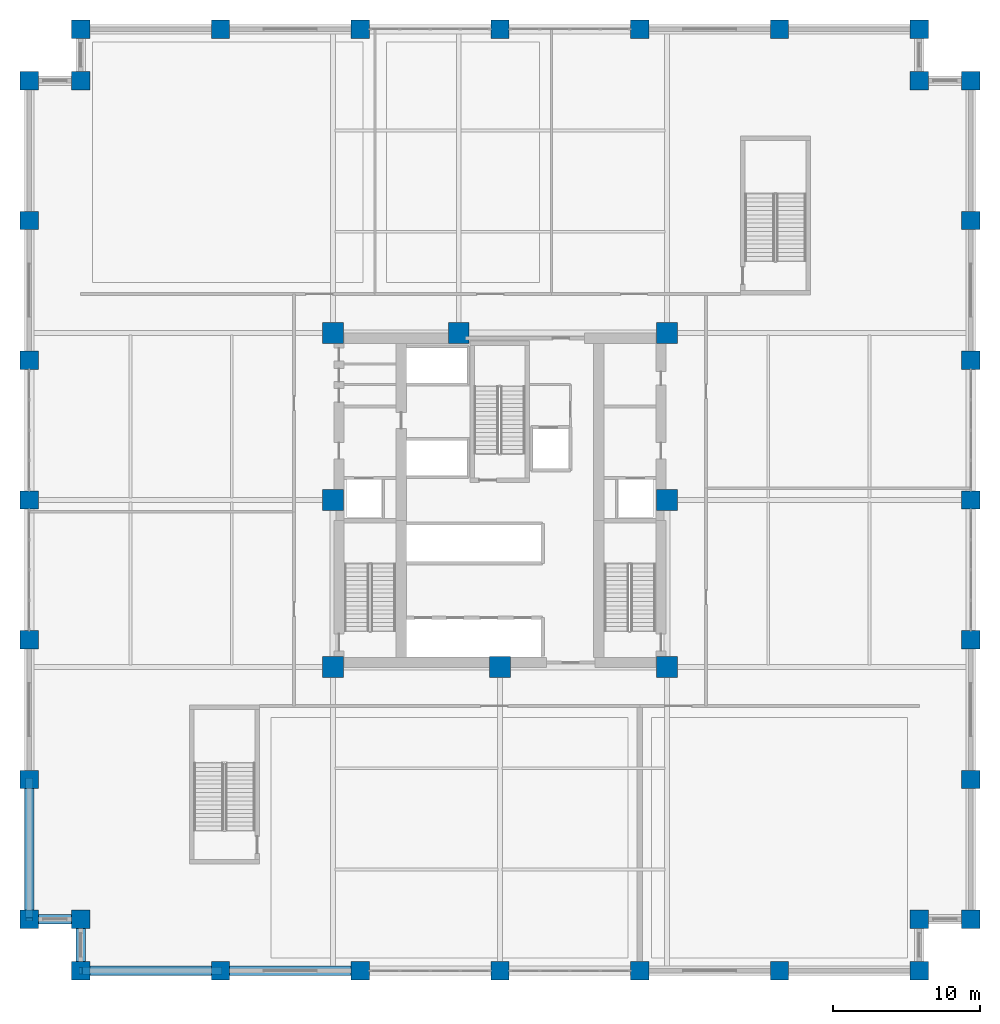
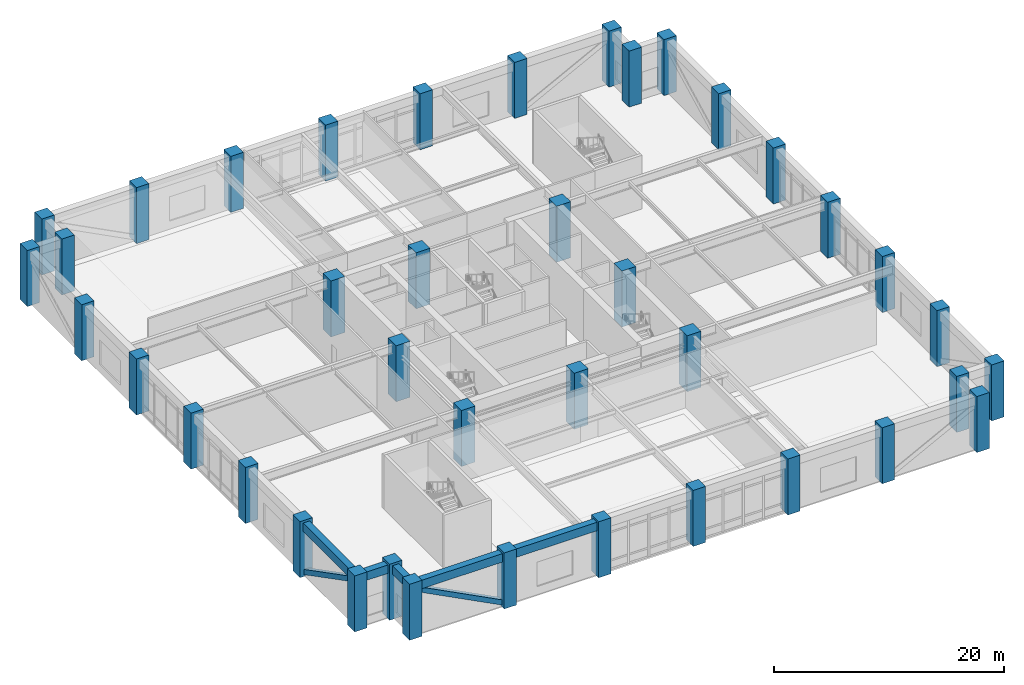
# One storey, part 1 of 21: 40 columns, 5 beams, 2 members.
"""IFC4 building model written with IfcOpenShell, lengths in metres."""

from ifc_helpers import new_model, si_unit, direction, frame, origin, origin_2d, place, context, subcontext, project, spatial, rectangle, hollow_rectangle, extrude, material, material_profile, profile_set, type_object, element, save


model = new_model("IFC4")

# Units and contexts
model_context = context("Model", 3, precision=1e-05, world=origin(), true_north=direction((0.0, 1.0)))
body_context = subcontext(model_context, "Body", "Model", "MODEL_VIEW")
ifc_project = project(units=[si_unit("LENGTHUNIT", "METRE"), si_unit("AREAUNIT", "SQUARE_METRE"), si_unit("VOLUMEUNIT", "CUBIC_METRE"), si_unit("PLANEANGLEUNIT", "RADIAN"), si_unit("MASSUNIT", "GRAM", prefix="KILO")], contexts=[model_context])

# Site, building, storey
site_placement = place(None, origin())
site = spatial("IfcSite", under=ifc_project, at=site_placement, CompositionType="ELEMENT")
building_placement = place(site_placement, origin())
building = spatial("IfcBuilding", under=site, at=building_placement, Name="Nhamokura Convention Tower", CompositionType="ELEMENT")
storey_placement = place(building_placement, frame((0.0, 0.0, 17.85009765625)))
storey = spatial("IfcBuildingStorey", under=building, at=storey_placement, Name="L03", CompositionType="ELEMENT", Elevation=17.85009765625)

# Columns
ifc_material_1 = material(Name="Concrete C70/85", Category="concrete")
ifc_material_profile_1 = material_profile(ifc_material_1, rectangle(XDim=1.39990234375, YDim=1.39990234375, at=origin_2d()))
ifc_profile_set_1 = profile_set([ifc_material_profile_1], Name="Concrete C70/85")
column_type_1 = type_object("IfcColumnType", Name="TubeColumn_B_1400", PredefinedType="COLUMN", material=ifc_profile_set_1)
for number, where, z_axis, x_axis, name in (
    (1, (20.64990234375, 20.64990234375, 0.0), (0.0, 0.0, 1.0), (1.0, 0.0, 0.0), "L03 Core Column CC-SW"),
    (2, (32.0, 20.64990234375, 0.0), (0.0, 0.0, 1.0), (1.0, 0.0, 0.0), "L03 Core Column CC-S"),
    (3, (43.35009765625, 20.64990234375, 0.0), (0.0, 0.0, 1.0), (1.0, 0.0, 0.0), "L03 Core Column CC-SE"),
    (4, (43.35009765625, 32.0, 0.0), (0.0, 0.0, 1.0), (1.0, 0.0, 0.0), "L03 Core Column CC-E"),
    (5, (43.35009765625, 43.35009765625, 0.0), (0.0, 0.0, 1.0), (1.0, 0.0, 0.0), "L03 Core Column CC-NE"),
    (6, (29.199951171875, 43.35009765625, 0.0), (0.0, 0.0, 1.0), (1.0, 0.0, 0.0), "L03 Core Column CC-N"),
    (7, (20.64990234375, 43.35009765625, 0.0), (0.0, 0.0, 1.0), (1.0, 0.0, 0.0), "L03 Core Column CC-NW"),
    (8, (20.64990234375, 32.0, 0.0), (0.0, 0.0, 1.0), (1.0, 0.0, 0.0), "L03 Core Column CC-W"),
):
    element("IfcColumn", number, at=place(storey_placement, frame(where, z_axis=z_axis, x_axis=x_axis)), inside=storey, type_object=column_type_1, Name=name, PredefinedType="COLUMN", context=body_context, shape_type="SweptSolid", body=[
        extrude(rectangle(XDim=1.39990234375, YDim=1.39990234375, at=origin_2d()), origin(), (0.0, 0.0, 1.0), 5.949951171875),
    ])
ifc_material_2 = material(Name="Concrete C70/85", Category="concrete")
ifc_material_profile_2 = material_profile(ifc_material_2, rectangle(XDim=1.25, YDim=1.25, at=origin_2d()))
ifc_profile_set_2 = profile_set([ifc_material_profile_2], Name="Concrete C70/85")
column_type_2 = type_object("IfcColumnType", Name="TubeColumn_P_1250", PredefinedType="COLUMN", material=ifc_profile_set_2)
for number, where, z_axis, x_axis, name in (
    (9, (3.5, 0.0, 0.0), (0.0, 0.0, 1.0), (1.0, 0.0, 0.0), "L03 Perimeter Tube Column SW1"),
    (10, (3.5, 3.5, 0.0), (0.0, 0.0, 1.0), (1.0, 0.0, 0.0), "L03 Perimeter Tube Column SW0"),
    (11, (0.0, 3.5, 0.0), (0.0, 0.0, 1.0), (1.0, 0.0, 0.0), "L03 Perimeter Tube Column SW2"),
    (12, (60.5, 0.0, 0.0), (0.0, 0.0, 1.0), (1.0, 0.0, 0.0), "L03 Perimeter Tube Column SE1"),
    (13, (60.5, 3.5, 0.0), (0.0, 0.0, 1.0), (1.0, 0.0, 0.0), "L03 Perimeter Tube Column SE0"),
    (14, (64.0, 3.5, 0.0), (0.0, 0.0, 1.0), (1.0, 0.0, 0.0), "L03 Perimeter Tube Column SE2"),
    (15, (64.0, 60.5, 0.0), (0.0, 0.0, 1.0), (1.0, 0.0, 0.0), "L03 Perimeter Tube Column NE1"),
    (16, (60.5, 60.5, 0.0), (0.0, 0.0, 1.0), (1.0, 0.0, 0.0), "L03 Perimeter Tube Column NE0"),
    (17, (60.5, 64.0, 0.0), (0.0, 0.0, 1.0), (1.0, 0.0, 0.0), "L03 Perimeter Tube Column NE2"),
    (18, (3.5, 64.0, 0.0), (0.0, 0.0, 1.0), (1.0, 0.0, 0.0), "L03 Perimeter Tube Column NW1"),
    (19, (3.5, 60.5, 0.0), (0.0, 0.0, 1.0), (1.0, 0.0, 0.0), "L03 Perimeter Tube Column NW0"),
    (20, (0.0, 60.5, 0.0), (0.0, 0.0, 1.0), (1.0, 0.0, 0.0), "L03 Perimeter Tube Column NW2"),
    (21, (13.0, 0.0, 0.0), (0.0, 0.0, 1.0), (1.0, 0.0, 0.0), "L03 Perimeter Tube Column S1"),
    (22, (13.0, 64.0, 0.0), (0.0, 0.0, 1.0), (1.0, 0.0, 0.0), "L03 Perimeter Tube Column N1"),
    (23, (0.0, 13.0, 0.0), (0.0, 0.0, 1.0), (1.0, 0.0, 0.0), "L03 Perimeter Tube Column W1"),
    (24, (64.0, 13.0, 0.0), (0.0, 0.0, 1.0), (1.0, 0.0, 0.0), "L03 Perimeter Tube Column E1"),
    (25, (22.5, 0.0, 0.0), (0.0, 0.0, 1.0), (1.0, 0.0, 0.0), "L03 Perimeter Tube Column S2"),
    (26, (22.5, 64.0, 0.0), (0.0, 0.0, 1.0), (1.0, 0.0, 0.0), "L03 Perimeter Tube Column N2"),
    (27, (0.0, 22.5, 0.0), (0.0, 0.0, 1.0), (1.0, 0.0, 0.0), "L03 Perimeter Tube Column W2"),
    (28, (64.0, 22.5, 0.0), (0.0, 0.0, 1.0), (1.0, 0.0, 0.0), "L03 Perimeter Tube Column E2"),
    (29, (32.0, 0.0, 0.0), (0.0, 0.0, 1.0), (1.0, 0.0, 0.0), "L03 Perimeter Tube Column S3"),
    (30, (32.0, 64.0, 0.0), (0.0, 0.0, 1.0), (1.0, 0.0, 0.0), "L03 Perimeter Tube Column N3"),
    (31, (0.0, 32.0, 0.0), (0.0, 0.0, 1.0), (1.0, 0.0, 0.0), "L03 Perimeter Tube Column W3"),
    (32, (64.0, 32.0, 0.0), (0.0, 0.0, 1.0), (1.0, 0.0, 0.0), "L03 Perimeter Tube Column E3"),
    (33, (41.5, 0.0, 0.0), (0.0, 0.0, 1.0), (1.0, 0.0, 0.0), "L03 Perimeter Tube Column S4"),
    (34, (41.5, 64.0, 0.0), (0.0, 0.0, 1.0), (1.0, 0.0, 0.0), "L03 Perimeter Tube Column N4"),
    (35, (0.0, 41.5, 0.0), (0.0, 0.0, 1.0), (1.0, 0.0, 0.0), "L03 Perimeter Tube Column W4"),
    (36, (64.0, 41.5, 0.0), (0.0, 0.0, 1.0), (1.0, 0.0, 0.0), "L03 Perimeter Tube Column E4"),
    (37, (51.0, 0.0, 0.0), (0.0, 0.0, 1.0), (1.0, 0.0, 0.0), "L03 Perimeter Tube Column S5"),
    (38, (51.0, 64.0, 0.0), (0.0, 0.0, 1.0), (1.0, 0.0, 0.0), "L03 Perimeter Tube Column N5"),
    (39, (0.0, 51.0, 0.0), (0.0, 0.0, 1.0), (1.0, 0.0, 0.0), "L03 Perimeter Tube Column W5"),
    (40, (64.0, 51.0, 0.0), (0.0, 0.0, 1.0), (1.0, 0.0, 0.0), "L03 Perimeter Tube Column E5"),
):
    element("IfcColumn", number, at=place(storey_placement, frame(where, z_axis=z_axis, x_axis=x_axis)), inside=storey, type_object=column_type_2, Name=name, PredefinedType="COLUMN", context=body_context, shape_type="SweptSolid", body=[
        extrude(rectangle(XDim=1.25, YDim=1.25, at=origin_2d()), origin(), (0.0, 0.0, 1.0), 5.949951171875),
    ])

# Members
ifc_material_3 = material(Name="Steel ASTM A572 Gr 50", Category="steel")
ifc_material_profile_3 = material_profile(ifc_material_3, hollow_rectangle(XDim=0.5, YDim=0.5, WallThickness=0.02490234375, at=origin_2d()))
ifc_profile_set_3 = profile_set([ifc_material_profile_3], Name="Steel ASTM A572 Gr 50")
member_type = type_object("IfcMemberType", Name="TubeBrace_HSS500", PredefinedType="BRACE", material=ifc_profile_set_3)
for number, where, z_axis, x_axis, name in (
    (41, (13.0, 0.0, 0.14990234375), (-0.888365692966, 0.0, 0.459136576152), (0.0, -1.0, 0.0), "L03 Perimeter Tube Brace SOUTH Bay 0"),
    (42, (0.0, 13.0, 0.14990234375), (0.0, -0.888365692966, 0.459136576152), (1.0, 0.0, 0.0), "L03 Perimeter Tube Brace WEST Bay 0"),
):
    element("IfcMember", number, at=place(storey_placement, frame(where, z_axis=z_axis, x_axis=x_axis)), inside=storey, type_object=member_type, Name=name, PredefinedType="BRACE", context=body_context, shape_type="SweptSolid", body=[
        extrude(hollow_rectangle(XDim=0.5, YDim=0.5, WallThickness=0.02490234375, at=origin_2d()), origin(), (0.0, 0.0, 1.0), 10.69384765625),
    ])

# Beams
ifc_material_4 = material(Name="Concrete C60/75", Category="concrete")
ifc_material_profile_4 = material_profile(ifc_material_4, rectangle(XDim=0.64990234375, YDim=0.89990234375, at=origin_2d()))
ifc_profile_set_4 = profile_set([ifc_material_profile_4], Name="Concrete C60/75")
beam_type = type_object("IfcBeamType", Name="TubeSpandrel_900", PredefinedType="SPANDREL", material=ifc_profile_set_4)
for number, where, z_axis, x_axis, name in (
    (43, (3.5, 0.0, 5.260009765625), (1.0, 0.0, 0.0), (0.0, 1.0, 0.0), "L03 Perimeter Spandrel SOUTH 1"),
    (44, (13.0, 0.0, 5.260009765625), (1.0, 0.0, 0.0), (0.0, 1.0, 0.0), "L03 Perimeter Spandrel SOUTH 2"),
    (45, (0.0, 3.5, 5.260009765625), (0.0, 1.0, 0.0), (-1.0, 0.0, 0.0), "L03 Perimeter Spandrel WEST 1"),
):
    element("IfcBeam", number, at=place(storey_placement, frame(where, z_axis=z_axis, x_axis=x_axis)), inside=storey, type_object=beam_type, Name=name, PredefinedType="SPANDREL", context=body_context, shape_type="SweptSolid", body=[
        extrude(rectangle(XDim=0.64990234375, YDim=0.89990234375, at=origin_2d()), origin(), (0.0, 0.0, 1.0), 9.5),
    ])
for number, where, z_axis, x_axis, name in (
    (46, (3.5, 0.0, 5.260009765625), (0.0, 1.0, 0.0), (-1.0, 0.0, 0.0), "L03 Notch Spandrel SW1"),
    (47, (3.5, 3.5, 5.260009765625), (-1.0, 0.0, 0.0), (0.0, -1.0, 0.0), "L03 Notch Spandrel SW2"),
):
    element("IfcBeam", number, at=place(storey_placement, frame(where, z_axis=z_axis, x_axis=x_axis)), inside=storey, type_object=beam_type, Name=name, PredefinedType="SPANDREL", context=body_context, shape_type="SweptSolid", body=[
        extrude(rectangle(XDim=0.64990234375, YDim=0.89990234375, at=origin_2d()), origin(), (0.0, 0.0, 1.0), 3.5),
    ])

save(model, "model.ifc")
